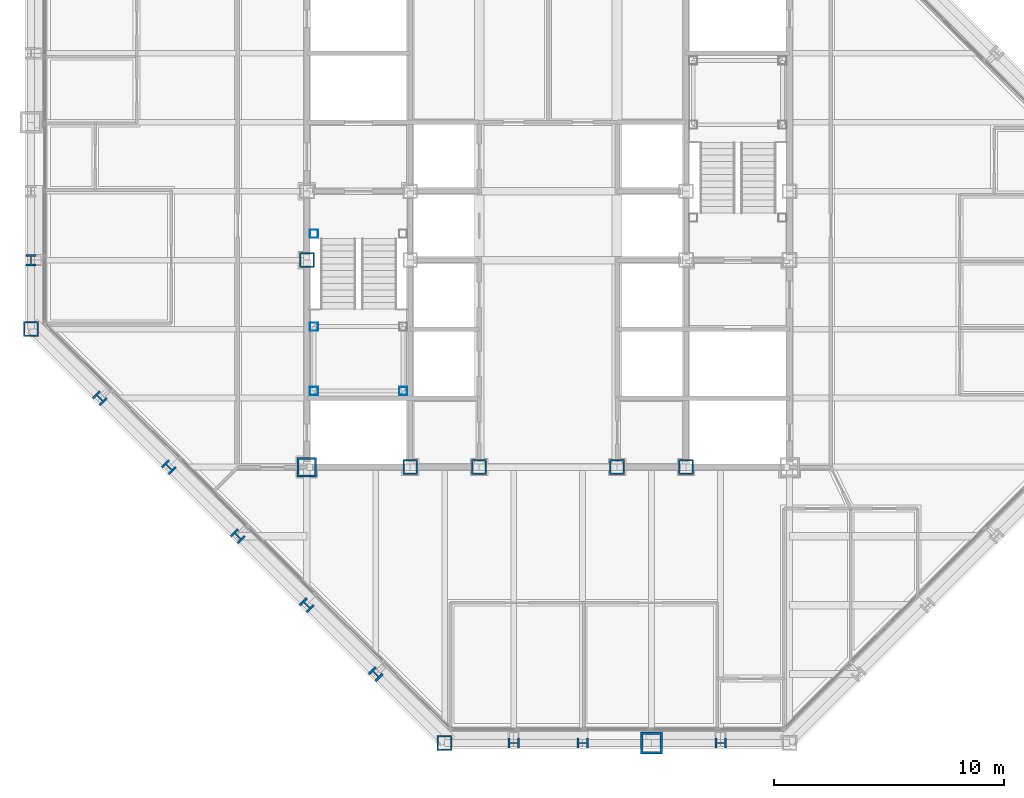
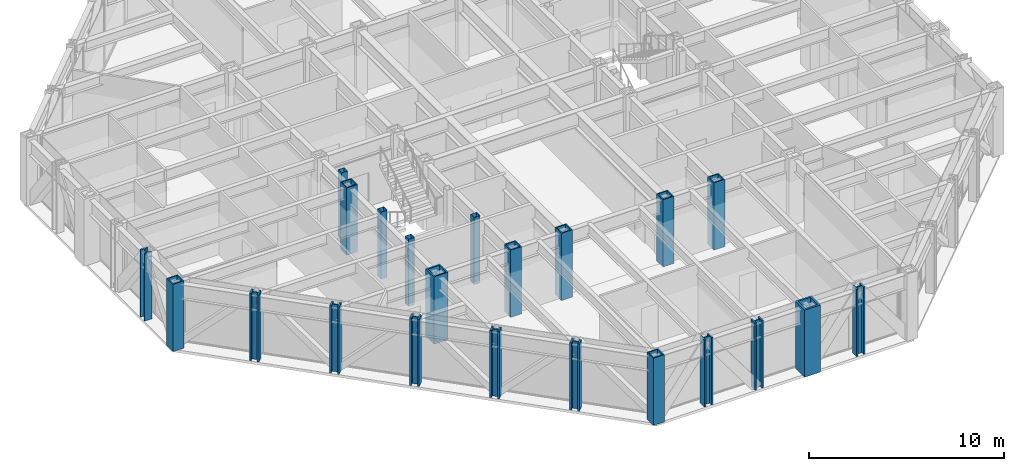
# One storey, part 1 of 16: 22 columns.
"""IFC4 building model written with IfcOpenShell, lengths in metres."""

from ifc_helpers import new_model, si_unit, direction, frame, origin, origin_2d, place, context, subcontext, project, spatial, hollow_rectangle, i_section, extrude, material, material_profile, profile_set, type_object, element, save


model = new_model("IFC4")

# Units and contexts
model_context = context("Model", 3, precision=1e-05, world=origin(), true_north=direction((0.0, 1.0)))
body_context = subcontext(model_context, "Body", "Model", "MODEL_VIEW")
ifc_project = project(units=[si_unit("LENGTHUNIT", "METRE"), si_unit("AREAUNIT", "SQUARE_METRE"), si_unit("VOLUMEUNIT", "CUBIC_METRE"), si_unit("PLANEANGLEUNIT", "RADIAN"), si_unit("MASSUNIT", "GRAM", prefix="KILO")], contexts=[model_context])

# Site, building, storey
site_placement = place(None, origin())
site = spatial("IfcSite", under=ifc_project, at=site_placement, CompositionType="ELEMENT")
building_placement = place(site_placement, origin())
building = spatial("IfcBuilding", under=site, at=building_placement, Name="Chuquiago Exchange Tower", CompositionType="ELEMENT")
storey_placement = place(building_placement, frame((0.0, 0.0, 213.89990234375)))
storey = spatial("IfcBuildingStorey", under=building, at=storey_placement, Name="L47", CompositionType="ELEMENT", Elevation=213.89990234375)

# Columns
ifc_material_1 = material(Name="Steel ASTM A992", Category="steel")
ifc_material_profile_1 = material_profile(ifc_material_1, i_section(OverallWidth=0.431884765625, OverallDepth=0.497802734375, WebThickness=0.0556640625, FlangeThickness=0.0888671875, at=origin_2d()), Name="W14X500")
ifc_profile_set_1 = profile_set([ifc_material_profile_1], Name="Steel ASTM A992")
column_type_1 = type_object("IfcColumnType", Name="C4 W14X500", PredefinedType="COLUMN", material=ifc_profile_set_1)
for number, where, z_axis, x_axis, name in (
    (1, (21.0, 0.0, 0.0), (0.0, 0.0, 1.0), (0.0, -1.0, 0.0), "COL-L47-21_0"),
    (2, (24.0, 0.0, 0.0), (0.0, 0.0, 1.0), (0.0, -1.0, 0.0), "COL-L47-24_0"),
    (3, (30.0, 0.0, 0.0), (0.0, 0.0, 1.0), (0.0, -1.0, 0.0), "COL-L47-30_0"),
    (4, (0.0, 21.0, 0.0), (0.0, 0.0, 1.0), (-1.0, 0.0, 0.0), "COL-L47-0_21"),
):
    element("IfcColumn", number, at=place(storey_placement, frame(where, z_axis=z_axis, x_axis=x_axis)), inside=storey, type_object=column_type_1, Name=name, PredefinedType="COLUMN", context=body_context, shape_type="SweptSolid", body=[
        extrude(i_section(OverallWidth=0.431884765625, OverallDepth=0.497802734375, WebThickness=0.0556640625, FlangeThickness=0.0888671875, at=origin_2d()), origin(), (0.0, 0.0, 1.0), 4.2001953125),
    ])
ifc_material_2 = material(Name="Steel ASTM A572 Grade 50", Category="steel")
ifc_material_profile_2 = material_profile(ifc_material_2, hollow_rectangle(XDim=0.64990234375, YDim=0.64990234375, WallThickness=0.06494140625, at=origin_2d()), Name="BOX650X650X65")
ifc_profile_set_2 = profile_set([ifc_material_profile_2], Name="Steel ASTM A572 Grade 50")
column_type_2 = type_object("IfcColumnType", Name="CC4 BOX650X650X65", PredefinedType="COLUMN", material=ifc_profile_set_2)
for number, where, z_axis, x_axis, name in (
    (5, (16.5, 12.0, 0.0), (0.0, 0.0, 1.0), (1.0, 0.0, 0.0), "CCOL-L47-16.5_12"),
    (6, (19.5, 12.0, 0.0), (0.0, 0.0, 1.0), (1.0, 0.0, 0.0), "CCOL-L47-19.5_12"),
    (7, (25.5, 12.0, 0.0), (0.0, 0.0, 1.0), (1.0, 0.0, 0.0), "CCOL-L47-25.5_12"),
    (8, (28.5, 12.0, 0.0), (0.0, 0.0, 1.0), (1.0, 0.0, 0.0), "CCOL-L47-28.5_12"),
    (9, (12.0, 21.0, 0.0), (0.0, 0.0, 1.0), (1.0, 0.0, 0.0), "CCOL-L47-12_21"),
):
    element("IfcColumn", number, at=place(storey_placement, frame(where, z_axis=z_axis, x_axis=x_axis)), inside=storey, type_object=column_type_2, Name=name, PredefinedType="COLUMN", context=body_context, shape_type="SweptSolid", body=[
        extrude(hollow_rectangle(XDim=0.64990234375, YDim=0.64990234375, WallThickness=0.06494140625, at=origin_2d()), origin(), (0.0, 0.0, 1.0), 4.2001953125),
    ])
ifc_material_3 = material(Name="Steel ASTM A572 Grade 50", Category="steel")
ifc_material_profile_3 = material_profile(ifc_material_3, hollow_rectangle(XDim=0.85009765625, YDim=0.85009765625, WallThickness=0.0849609375, at=origin_2d()), Name="BOX850X850X85")
ifc_profile_set_3 = profile_set([ifc_material_profile_3], Name="Steel ASTM A572 Grade 50")
column_type_3 = type_object("IfcColumnType", Name="CC6 BOX850X850X85", PredefinedType="COLUMN", material=ifc_profile_set_3)
column_1_placement = place(storey_placement, frame((12.0, 12.0, 0.0), z_axis=(0.0, 0.0, 1.0), x_axis=(1.0, 0.0, 0.0)))
element("IfcColumn", 10, at=column_1_placement, inside=storey, type_object=column_type_3, Name="CCOL-L47-12_12", PredefinedType="COLUMN", context=body_context, shape_type="SweptSolid", body=[
    extrude(hollow_rectangle(XDim=0.85009765625, YDim=0.85009765625, WallThickness=0.0849609375, at=origin_2d()), origin(), (0.0, 0.0, 1.0), 4.2001953125),
])
ifc_material_4 = material(Name="Steel ASTM A992", Category="steel")
ifc_material_profile_4 = material_profile(ifc_material_4, i_section(OverallWidth=0.436767578125, OverallDepth=0.51318359375, WebThickness=0.060546875, FlangeThickness=0.096923828125, at=origin_2d()), Name="W14X550")
ifc_profile_set_4 = profile_set([ifc_material_profile_4], Name="Steel ASTM A992")
column_type_4 = type_object("IfcColumnType", Name="CK4 W14X550", PredefinedType="COLUMN", material=ifc_profile_set_4)
for number, where, z_axis, x_axis, name in (
    (11, (3.0, 15.0, 0.0), (0.0, 0.0, 1.0), (-0.707106781187, -0.707106781187, 0.0), "COL-L47-3_15"),
    (12, (6.0, 12.0, 0.0), (0.0, 0.0, 1.0), (-0.707106781187, -0.707106781187, 0.0), "COL-L47-6_12"),
    (13, (9.0, 9.0, 0.0), (0.0, 0.0, 1.0), (-0.707106781187, -0.707106781187, 0.0), "COL-L47-9_9"),
    (14, (12.0, 6.0, 0.0), (0.0, 0.0, 1.0), (-0.707106781187, -0.707106781187, 0.0), "COL-L47-12_6"),
    (15, (15.0, 3.0, 0.0), (0.0, 0.0, 1.0), (-0.707106781187, -0.707106781187, 0.0), "COL-L47-15_3"),
):
    element("IfcColumn", number, at=place(storey_placement, frame(where, z_axis=z_axis, x_axis=x_axis)), inside=storey, type_object=column_type_4, Name=name, PredefinedType="COLUMN", context=body_context, shape_type="SweptSolid", body=[
        extrude(i_section(OverallWidth=0.436767578125, OverallDepth=0.51318359375, WebThickness=0.060546875, FlangeThickness=0.096923828125, at=origin_2d()), origin(), (0.0, 0.0, 1.0), 4.2001953125),
    ])
ifc_material_5 = material(Name="Steel ASTM A572 Grade 50", Category="steel")
ifc_material_profile_5 = material_profile(ifc_material_5, hollow_rectangle(XDim=0.64990234375, YDim=0.64990234375, WallThickness=0.06494140625, at=origin_2d()), Name="BOX650X650X65")
ifc_profile_set_5 = profile_set([ifc_material_profile_5], Name="Steel ASTM A572 Grade 50")
column_type_5 = type_object("IfcColumnType", Name="CN2 BOX650X650X65", PredefinedType="COLUMN", material=ifc_profile_set_5)
for number, where, z_axis, x_axis, name in (
    (16, (18.0, 0.0, 0.0), (0.0, 0.0, 1.0), (0.0, -1.0, 0.0), "COL-L47-18_0"),
    (17, (0.0, 18.0, 0.0), (0.0, 0.0, 1.0), (-1.0, 0.0, 0.0), "COL-L47-0_18"),
):
    element("IfcColumn", number, at=place(storey_placement, frame(where, z_axis=z_axis, x_axis=x_axis)), inside=storey, type_object=column_type_5, Name=name, PredefinedType="COLUMN", context=body_context, shape_type="SweptSolid", body=[
        extrude(hollow_rectangle(XDim=0.64990234375, YDim=0.64990234375, WallThickness=0.06494140625, at=origin_2d()), origin(), (0.0, 0.0, 1.0), 4.2001953125),
    ])
ifc_material_6 = material(Name="Steel ASTM A572 Grade 42", Category="steel")
ifc_material_profile_6 = material_profile(ifc_material_6, hollow_rectangle(XDim=0.949951171875, YDim=0.949951171875, WallThickness=0.110107421875, at=origin_2d()), Name="BOX950X950X110")
ifc_profile_set_6 = profile_set([ifc_material_profile_6], Name="Steel ASTM A572 Grade 42")
column_type_6 = type_object("IfcColumnType", Name="CT1 BOX950X950X110", PredefinedType="COLUMN", material=ifc_profile_set_6)
column_2_placement = place(storey_placement, frame((27.0, 0.0, 0.0), z_axis=(0.0, 0.0, 1.0), x_axis=(0.0, -1.0, 0.0)))
element("IfcColumn", 18, at=column_2_placement, inside=storey, type_object=column_type_6, Name="COL-L47-27_0", PredefinedType="COLUMN", context=body_context, shape_type="SweptSolid", body=[
    extrude(hollow_rectangle(XDim=0.949951171875, YDim=0.949951171875, WallThickness=0.110107421875, at=origin_2d()), origin(), (0.0, 0.0, 1.0), 4.2001953125),
])
ifc_material_7 = material(Name="Steel ASTM A500 Grade C", Category="steel")
ifc_material_profile_7 = material_profile(ifc_material_7, hollow_rectangle(XDim=0.355712890625, YDim=0.355712890625, WallThickness=0.0087890625, at=origin_2d()), Name="HSS14X14X3/8")
ifc_profile_set_7 = profile_set([ifc_material_profile_7], Name="Steel ASTM A500 Grade C")
column_type_7 = type_object("IfcColumnType", Name="PT1 HSS14X14X3/8", PredefinedType="COLUMN", material=ifc_profile_set_7)
for number, where, z_axis, x_axis, name in (
    (19, (12.31005859375, 15.31005859375, 0.0), (0.0, 0.0, 1.0), (1.0, 0.0, 0.0), "Stair ST1 L47 landing post"),
    (20, (16.18994140625, 15.31005859375, 0.0), (0.0, 0.0, 1.0), (1.0, 0.0, 0.0), "Stair ST1 L47 landing post"),
    (21, (12.31005859375, 18.110107421875, 0.0), (0.0, 0.0, 1.0), (1.0, 0.0, 0.0), "Stair ST1 L47 landing post"),
    (22, (12.31005859375, 22.14990234375, 0.0), (0.0, 0.0, 1.0), (1.0, 0.0, 0.0), "Stair ST1 L47 landing post"),
):
    element("IfcColumn", number, at=place(storey_placement, frame(where, z_axis=z_axis, x_axis=x_axis)), inside=storey, type_object=column_type_7, Name=name, PredefinedType="COLUMN", context=body_context, shape_type="SweptSolid", body=[
        extrude(hollow_rectangle(XDim=0.355712890625, YDim=0.355712890625, WallThickness=0.0087890625, at=origin_2d()), origin(), (0.0, 0.0, 1.0), 4.2001953125),
    ])

save(model, "model.ifc")
